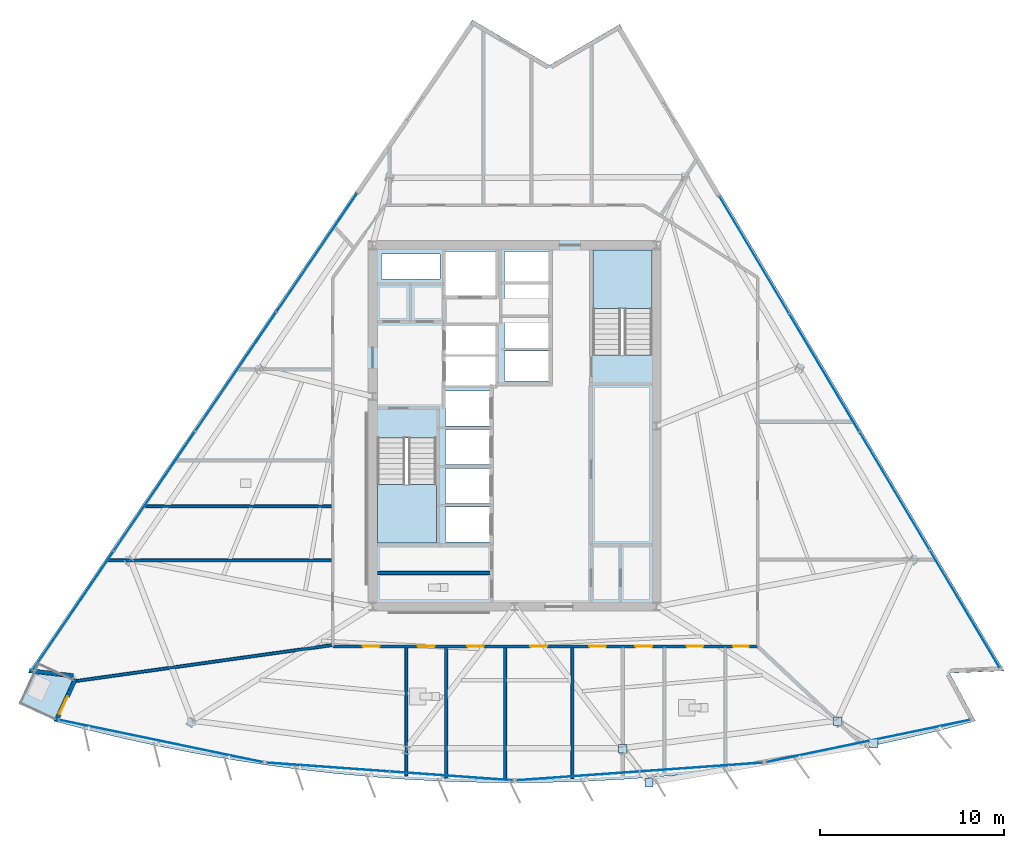
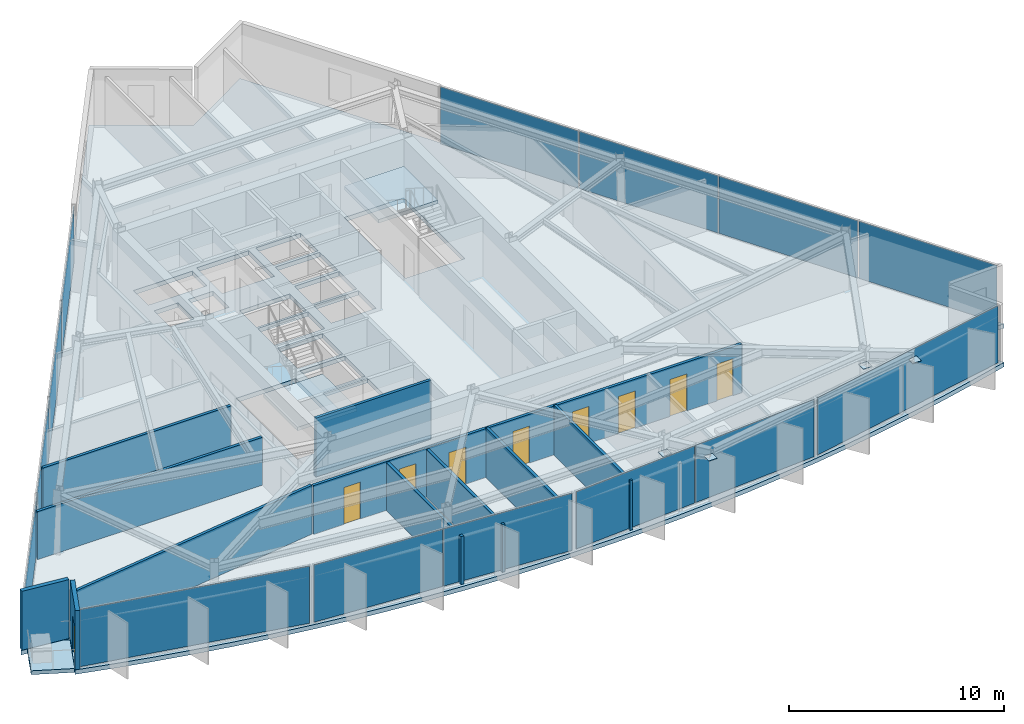
# One storey, part 7 of 15: 18 plates, 11 walls, 9 doors, 4 slabs, 9 openings, 8 elements without a shape of their own.
"""IFC4 building model written with IfcOpenShell, lengths in metres."""

from ifc_helpers import new_model, si_unit, direction, frame, frame_2d, origin, origin_2d, place, context, subcontext, project, spatial, polyline, rectangle, outline, extrude, material, layer, layer_set, type_object, element, fill, aggregate, save


model = new_model("IFC4")

# Units and contexts
model_context = context("Model", 3, precision=1e-05, world=origin(), true_north=direction((0.0, 1.0)))
body_context = subcontext(model_context, "Body", "Model", "MODEL_VIEW")
ifc_project = project(units=[si_unit("LENGTHUNIT", "METRE"), si_unit("AREAUNIT", "SQUARE_METRE"), si_unit("VOLUMEUNIT", "CUBIC_METRE"), si_unit("PLANEANGLEUNIT", "RADIAN"), si_unit("MASSUNIT", "GRAM", prefix="KILO")], contexts=[model_context])

# Site, building, storey
site_placement = place(None, origin())
site = spatial("IfcSite", under=ifc_project, at=site_placement, CompositionType="ELEMENT")
building_placement = place(site_placement, origin())
building = spatial("IfcBuilding", under=site, at=building_placement, Name="Savorim Split Tower", CompositionType="ELEMENT")
storey_placement = place(building_placement, frame((0.0, 0.0, 167.39990234375)))
storey = spatial("IfcBuildingStorey", under=building, at=storey_placement, Name="L44", CompositionType="ELEMENT", Elevation=167.39990234375)

# Curtain wall, plate
ifc_material_1 = material(Name="Dark Ceramic-Fritted Insulated Glass", Category="glass")
curtain_wall_type = type_object("IfcCurtainWallType", Name="CW-TWR-FRIT-B", PredefinedType="NOTDEFINED", material=ifc_material_1)
curtain_wall_1_placement = place(storey_placement, origin())
curtain_wall_1 = element("IfcCurtainWall", 1, at=curtain_wall_1_placement, inside=storey, type_object=curtain_wall_type, Name="L44 Curtain Wall CW-L44-SF1", PredefinedType="NOTDEFINED")
ifc_layer_1 = layer(ifc_material_1, 0.02587890625)
ifc_layer_set_1 = layer_set([ifc_layer_1], Name="CWP-FRITB-26")
plate_type_1 = type_object("IfcPlateType", Name="CWP-FRITB-26", PredefinedType="CURTAIN_PANEL", material=ifc_layer_set_1)
plate_1_placement = place(storey_placement, frame((-19.1787109375, -16.69189453125, 0.050048828125), z_axis=(0.0, 0.0, 1.0), x_axis=(0.979134332118, -0.203214073497, 0.0)))
plate_1 = element("IfcPlate", 2, at=plate_1_placement, type_object=plate_type_1, Name="CW-03 panel 1.1", PredefinedType="CURTAIN_PANEL", context=body_context, shape_type="SweptSolid", body=[
    extrude(rectangle(XDim=11.2646484375, YDim=0.02587890625, at=origin_2d()), origin(), (0.0, 0.0, 1.0), 3.25),
])
aggregate(curtain_wall_1, [plate_1])

# Curtain wall, plates
curtain_wall_2_placement = place(storey_placement, origin())
curtain_wall_2 = element("IfcCurtainWall", 3, at=curtain_wall_2_placement, inside=storey, type_object=curtain_wall_type, Name="L44 Curtain Wall CW-L44-SF2", PredefinedType="NOTDEFINED")
plate_2_placement = place(storey_placement, frame((-10.124755859375, -18.105224609375, 0.050048828125), z_axis=(0.0, 0.0, 1.0), x_axis=(0.997436480985, -0.071557434275, 0.0)))
plate_2 = element("IfcPlate", 4, at=plate_2_placement, type_object=plate_type_1, Name="CW-03 panel 1.1", PredefinedType="CURTAIN_PANEL", context=body_context, shape_type="SweptSolid", body=[
    extrude(rectangle(XDim=6.65283203125, YDim=0.02587890625, at=origin_2d()), origin(), (0.0, 0.0, 1.0), 3.25),
])
plate_3_placement = place(storey_placement, frame((-3.428955078125, -18.585693359375, 0.050048828125), z_axis=(0.0, 0.0, 1.0), x_axis=(0.997436480985, -0.071557434275, 0.0)))
plate_3 = element("IfcPlate", 5, at=plate_3_placement, type_object=plate_type_1, Name="CW-03 panel 2.1", PredefinedType="CURTAIN_PANEL", context=body_context, shape_type="SweptSolid", body=[
    extrude(rectangle(XDim=6.65283203125, YDim=0.02587890625, at=origin_2d()), origin(), (0.0, 0.0, 1.0), 3.25),
])
aggregate(curtain_wall_2, [plate_2, plate_3])

curtain_wall_3_placement = place(storey_placement, origin())
curtain_wall_3 = element("IfcCurtainWall", 6, at=curtain_wall_3_placement, inside=storey, type_object=curtain_wall_type, Name="L44 Curtain Wall CW-L44-SF3", PredefinedType="NOTDEFINED")
plate_4_placement = place(storey_placement, frame((3.428955078125, -18.585693359375, 0.050048828125), z_axis=(0.0, 0.0, 1.0), x_axis=(0.997436480985, 0.071557434275, 0.0)))
plate_4 = element("IfcPlate", 7, at=plate_4_placement, type_object=plate_type_1, Name="CW-03 panel 1.1", PredefinedType="CURTAIN_PANEL", context=body_context, shape_type="SweptSolid", body=[
    extrude(rectangle(XDim=6.65283203125, YDim=0.02587890625, at=origin_2d()), origin(), (0.0, 0.0, 1.0), 3.25),
])
plate_5_placement = place(storey_placement, frame((10.124755859375, -18.105224609375, 0.050048828125), z_axis=(0.0, 0.0, 1.0), x_axis=(0.997436480985, 0.071557434275, 0.0)))
plate_5 = element("IfcPlate", 8, at=plate_5_placement, type_object=plate_type_1, Name="CW-03 panel 2.1", PredefinedType="CURTAIN_PANEL", context=body_context, shape_type="SweptSolid", body=[
    extrude(rectangle(XDim=6.65283203125, YDim=0.02587890625, at=origin_2d()), origin(), (0.0, 0.0, 1.0), 3.25),
])
aggregate(curtain_wall_3, [plate_4, plate_5])

# Curtain wall, plate
curtain_wall_4_placement = place(storey_placement, origin())
curtain_wall_4 = element("IfcCurtainWall", 9, at=curtain_wall_4_placement, inside=storey, type_object=curtain_wall_type, Name="L44 Curtain Wall CW-L44-SF4", PredefinedType="NOTDEFINED")
plate_6_placement = place(storey_placement, frame((19.1787109375, -16.69189453125, 0.050048828125), z_axis=(0.0, 0.0, 1.0), x_axis=(0.979134332118, 0.203214073497, 0.0)))
plate_6 = element("IfcPlate", 10, at=plate_6_placement, type_object=plate_type_1, Name="CW-03 panel 1.1", PredefinedType="CURTAIN_PANEL", context=body_context, shape_type="SweptSolid", body=[
    extrude(rectangle(XDim=11.2646484375, YDim=0.02587890625, at=origin_2d()), origin(), (0.0, 0.0, 1.0), 3.25),
])
aggregate(curtain_wall_4, [plate_6])

# Curtain wall, plates
curtain_wall_5_placement = place(storey_placement, origin())
curtain_wall_5 = element("IfcCurtainWall", 11, at=curtain_wall_5_placement, inside=storey, type_object=curtain_wall_type, Name="L44 Curtain Wall CW-L44-EAST", PredefinedType="NOTDEFINED")
plate_7_placement = place(storey_placement, frame((24.410400390625, -9.536865234375, 0.050048828125), z_axis=(0.0, 0.0, 1.0), x_axis=(-0.511093786039, 0.85952495128, 0.0)))
plate_7 = element("IfcPlate", 12, at=plate_7_placement, type_object=plate_type_1, Name="CW-03 panel 1.1", PredefinedType="CURTAIN_PANEL", context=body_context, shape_type="SweptSolid", body=[
    extrude(rectangle(XDim=7.37353515625, YDim=0.02587890625, at=origin_2d()), origin(), (0.0, 0.0, 1.0), 3.25),
])
plate_8_placement = place(storey_placement, frame((20.603515625, -3.134765625, 0.050048828125), z_axis=(0.0, 0.0, 1.0), x_axis=(-0.511093786039, 0.85952495128, 0.0)))
plate_8 = element("IfcPlate", 13, at=plate_8_placement, type_object=plate_type_1, Name="CW-03 panel 2.1", PredefinedType="CURTAIN_PANEL", context=body_context, shape_type="SweptSolid", body=[
    extrude(rectangle(XDim=7.403564453125, YDim=0.02587890625, at=origin_2d()), origin(), (0.0, 0.0, 1.0), 3.25),
])
plate_9_placement = place(storey_placement, frame((16.7890625, 3.2802734375, 0.050048828125), z_axis=(0.0, 0.0, 1.0), x_axis=(-0.511093786039, 0.85952495128, 0.0)))
plate_9 = element("IfcPlate", 14, at=plate_9_placement, type_object=plate_type_1, Name="CW-03 panel 3.1", PredefinedType="CURTAIN_PANEL", context=body_context, shape_type="SweptSolid", body=[
    extrude(rectangle(XDim=7.403564453125, YDim=0.02587890625, at=origin_2d()), origin(), (0.0, 0.0, 1.0), 3.25),
])
plate_10_placement = place(storey_placement, frame((12.982177734375, 9.682373046875, 0.050048828125), z_axis=(0.0, 0.0, 1.0), x_axis=(-0.511093786039, 0.85952495128, 0.0)))
plate_10 = element("IfcPlate", 15, at=plate_10_placement, type_object=plate_type_1, Name="CW-03 panel 4.1", PredefinedType="CURTAIN_PANEL", context=body_context, shape_type="SweptSolid", body=[
    extrude(rectangle(XDim=7.37353515625, YDim=0.02587890625, at=origin_2d()), origin(), (0.0, 0.0, 1.0), 3.25),
])
aggregate(curtain_wall_5, [plate_7, plate_8, plate_9, plate_10])

curtain_wall_6_placement = place(storey_placement, origin())
curtain_wall_6 = element("IfcCurtainWall", 16, at=curtain_wall_6_placement, inside=storey, type_object=curtain_wall_type, Name="L44 Curtain Wall CW-L44-WEST", PredefinedType="NOTDEFINED")
plate_11_placement = place(storey_placement, frame((-10.730224609375, 9.800048828125, 0.050048828125), z_axis=(0.0, 0.0, 1.0), x_axis=(-0.562467714384, -0.826819248854, 0.0)))
plate_11 = element("IfcPlate", 17, at=plate_11_placement, type_object=plate_type_1, Name="CW-03 panel 1.1", PredefinedType="CURTAIN_PANEL", context=body_context, shape_type="SweptSolid", body=[
    extrude(rectangle(XDim=7.74951171875, YDim=0.02587890625, at=origin_2d()), origin(), (0.0, 0.0, 1.0), 3.25),
])
plate_12_placement = place(storey_placement, frame((-15.13134765625, 3.33056640625, 0.050048828125), z_axis=(0.0, 0.0, 1.0), x_axis=(-0.562467714384, -0.826819248854, 0.0)))
plate_12 = element("IfcPlate", 18, at=plate_12_placement, type_object=plate_type_1, Name="CW-03 panel 2.1", PredefinedType="CURTAIN_PANEL", context=body_context, shape_type="SweptSolid", body=[
    extrude(rectangle(XDim=7.779541015625, YDim=0.02587890625, at=origin_2d()), origin(), (0.0, 0.0, 1.0), 3.25),
])
plate_13_placement = place(storey_placement, frame((-19.540771484375, -3.1513671875, 0.050048828125), z_axis=(0.0, 0.0, 1.0), x_axis=(-0.562467714384, -0.826819248854, 0.0)))
plate_13 = element("IfcPlate", 19, at=plate_13_placement, type_object=plate_type_1, Name="CW-03 panel 3.1", PredefinedType="CURTAIN_PANEL", context=body_context, shape_type="SweptSolid", body=[
    extrude(rectangle(XDim=7.779541015625, YDim=0.02587890625, at=origin_2d()), origin(), (0.0, 0.0, 1.0), 3.25),
])
plate_14_placement = place(storey_placement, frame((-23.94189453125, -9.620849609375, 0.050048828125), z_axis=(0.0, 0.0, 1.0), x_axis=(-0.562467714384, -0.826819248854, 0.0)))
plate_14 = element("IfcPlate", 20, at=plate_14_placement, type_object=plate_type_1, Name="CW-03 panel 4.1", PredefinedType="CURTAIN_PANEL", context=body_context, shape_type="SweptSolid", body=[
    extrude(rectangle(XDim=7.74951171875, YDim=0.02587890625, at=origin_2d()), origin(), (0.0, 0.0, 1.0), 3.25),
])
aggregate(curtain_wall_6, [plate_11, plate_12, plate_13, plate_14])

# Plates
ifc_material_2 = material(Name="Steel S460", Category="steel")
ifc_layer_2 = layer(ifc_material_2, 0.02490234375)
ifc_layer_set_2 = layer_set([ifc_layer_2], Name="PLT-NODE-CN1")
plate_type_2 = type_object("IfcPlateType", Name="PLT-NODE-CN1", PredefinedType="SHEET", material=ifc_layer_set_2)
for number, where, z_axis, x_axis, name in (
    (21, (5.869140625, -17.118896484375, 2.437744140625), (0.0, 0.0, 1.0), (1.0, 0.0, 0.0), "L44 Bay Strut Column Gusset Plate 1"),
    (22, (7.287109375, -18.946533203125, 2.8076171875), (0.0, 0.0, 1.0), (1.0, 0.0, 0.0), "L44 Bay Strut Tip Gusset Plate 1"),
    (23, (17.51220703125, -15.6240234375, 2.437744140625), (0.0, 0.0, 1.0), (1.0, 0.0, 0.0), "L44 Bay Strut Column Gusset Plate 2"),
    (24, (19.47509765625, -16.841064453125, 2.8076171875), (0.0, 0.0, 1.0), (1.0, 0.0, 0.0), "L44 Bay Strut Tip Gusset Plate 2"),
):
    element("IfcPlate", number, at=place(storey_placement, frame(where, z_axis=z_axis, x_axis=x_axis)), inside=storey, type_object=plate_type_2, Name=name, PredefinedType="SHEET", context=body_context, shape_type="SweptSolid", body=[
        extrude(rectangle(XDim=0.4599609375, YDim=0.4599609375, at=origin_2d()), origin(), (0.0, 0.0, 1.0), 0.02490234375),
    ])

# Slab
ifc_material_3 = material(Name="Concrete C50/60", Category="concrete")
ifc_layer_3 = layer(ifc_material_3, 0.219970703125)
ifc_layer_set_3 = layer_set([ifc_layer_3], Name="SLB-BAL-220")
slab_type_1 = type_object("IfcSlabType", Name="SLB-BAL-220", PredefinedType="FLOOR", material=ifc_layer_set_3)
slab_1_placement = place(storey_placement, frame((0.0, 0.0, -0.219970703125)))
element("IfcSlab", 25, at=slab_1_placement, inside=storey, type_object=slab_type_1, Name="L44 Notched Corner Planted Tree Balcony Slab", PredefinedType="FLOOR", context=body_context, shape_type="SweptSolid", body=[
    extrude(outline(polyline([(-24.946533203125, -15.496826171875), (-23.969482421875, -13.37060546875), (-24.280029296875, -13.22802734375), (-26.06298828125, -13.02880859375), (-26.8046875, -14.64306640625), (-24.946533203125, -15.496826171875)])), origin(), (0.0, 0.0, 1.0), 0.219970703125),
])

# Stair, slab
stair_type = type_object("IfcStairType", Name="STR-DOG-3600", PredefinedType="HALF_TURN_STAIR", material=ifc_material_3)
stair_1_placement = place(storey_placement, origin())
stair_1 = element("IfcStair", 26, at=stair_1_placement, inside=storey, type_object=stair_type, Name="L44 Core Protected Exit Stair ST-1", PredefinedType="HALF_TURN_STAIR")
ifc_layer_4 = layer(ifc_material_3, 0.199951171875)
ifc_layer_set_4 = layer_set([ifc_layer_4], Name="SLB-LND-200")
slab_type_2 = type_object("IfcSlabType", Name="SLB-LND-200", PredefinedType="LANDING", material=ifc_layer_set_4)
slab_2_placement = place(storey_placement, frame((0.0, 0.0, 1.60009765625)))
slab_2 = element("IfcSlab", 27, at=slab_2_placement, type_object=slab_type_2, Name="ST-1 landing 1", PredefinedType="LANDING", context=body_context, shape_type="SweptSolid", body=[
    extrude(outline(polyline([(-7.449951171875, -2.77001953125), (-7.449951171875, -5.949951171875), (-4.25, -5.949951171875), (-4.25, -2.77001953125), (-7.449951171875, -2.77001953125)])), origin(), (0.0, 0.0, 1.0), 0.199951171875),
])
aggregate(stair_1, [slab_2])

stair_2_placement = place(storey_placement, origin())
stair_2 = element("IfcStair", 28, at=stair_2_placement, inside=storey, type_object=stair_type, Name="L44 Core Protected Exit Stair ST-2", PredefinedType="HALF_TURN_STAIR")
slab_3_placement = place(storey_placement, frame((0.0, 0.0, 1.60009765625)))
slab_3 = element("IfcSlab", 29, at=slab_3_placement, type_object=slab_type_2, Name="ST-2 landing 1", PredefinedType="LANDING", context=body_context, shape_type="SweptSolid", body=[
    extrude(outline(polyline([(7.449951171875, 6.77001953125), (7.449951171875, 9.949951171875), (4.25, 9.949951171875), (4.25, 6.77001953125), (7.449951171875, 6.77001953125)])), origin(), (0.0, 0.0, 1.0), 0.199951171875),
])
aggregate(stair_2, [slab_3])

# Slab
ifc_layer_5 = layer(ifc_material_3, 0.25)
ifc_layer_set_5 = layer_set([ifc_layer_5], Name="SLB-TWR-250")
slab_type_3 = type_object("IfcSlabType", Name="SLB-TWR-250", PredefinedType="FLOOR", material=ifc_layer_set_5)
slab_4_placement = place(storey_placement, frame((0.0, 0.0, -0.25)))
element("IfcSlab", 30, at=slab_4_placement, inside=storey, type_object=slab_type_3, Name="L44 Structural Floor Slab", PredefinedType="FLOOR", context=body_context, shape_type="SweptSolid", body=[
    extrude(outline(polyline([(-24.991943359375, -15.60791015625), (-23.110107421875, -16.10009765625), (-21.21826171875, -16.5537109375), (-19.31787109375, -16.968505859375), (-17.4091796875, -17.34423828125), (-15.4931640625, -17.680908203125), (-13.57080078125, -17.978515625), (-11.642578125, -18.236328125), (-9.709716796875, -18.454833984375), (-7.772705078125, -18.6337890625), (-5.832275390625, -18.77294921875), (-3.8896484375, -18.872314453125), (-1.9453125, -18.93212890625), (0.0, -18.951904296875), (1.9453125, -18.93212890625), (3.8896484375, -18.872314453125), (5.832275390625, -18.77294921875), (7.772705078125, -18.6337890625), (9.709716796875, -18.454833984375), (11.642578125, -18.236328125), (13.57080078125, -17.978515625), (15.4931640625, -17.680908203125), (17.4091796875, -17.34423828125), (19.31787109375, -16.968505859375), (21.21826171875, -16.5537109375), (23.110107421875, -16.10009765625), (24.991943359375, -15.60791015625), (23.59814453125, -13.01025390625), (26.541015625, -12.885009765625), (5.697021484375, 22.1689453125), (1.89208984375, 19.951416015625), (-2.29541015625, 22.41259765625), (-26.378173828125, -12.988525390625), (-23.914794921875, -13.263671875), (-24.991943359375, -15.60791015625)]), holes=[polyline([(-7.449951171875, -0.25390625), (-7.449951171875, -5.949951171875), (-4.25, -5.949951171875), (-4.25, -0.25390625), (-7.449951171875, -0.25390625)]), polyline([(7.449951171875, 4.25390625), (7.449951171875, 9.949951171875), (4.25, 9.949951171875), (4.25, 4.25390625), (7.449951171875, 4.25390625)]), polyline([(-3.75, -5.89990234375), (-1.35009765625, -5.89990234375), (-1.35009765625, -4.0), (-3.75, -4.0), (-3.75, -5.89990234375)]), polyline([(-3.75, -3.800048828125), (-1.35009765625, -3.800048828125), (-1.35009765625, -1.89990234375), (-3.75, -1.89990234375), (-3.75, -3.800048828125)]), polyline([(-3.75, -1.699951171875), (-1.35009765625, -1.699951171875), (-1.35009765625, 0.199951171875), (-3.75, 0.199951171875), (-3.75, -1.699951171875)]), polyline([(-3.75, 0.39990234375), (-1.35009765625, 0.39990234375), (-1.35009765625, 2.300048828125), (-3.75, 2.300048828125), (-3.75, 0.39990234375)]), polyline([(-0.550048828125, 2.830078125), (1.85009765625, 2.830078125), (1.85009765625, 4.469970703125), (-0.550048828125, 4.469970703125), (-0.550048828125, 2.830078125)]), polyline([(-0.550048828125, 4.6298828125), (1.85009765625, 4.6298828125), (1.85009765625, 6.27001953125), (-0.550048828125, 6.27001953125), (-0.550048828125, 4.6298828125)]), polyline([(-0.550048828125, 6.429931640625), (1.85009765625, 6.429931640625), (1.85009765625, 8.070068359375), (-0.550048828125, 8.070068359375), (-0.550048828125, 6.429931640625)]), polyline([(-0.550048828125, 8.22998046875), (1.85009765625, 8.22998046875), (1.85009765625, 9.8701171875), (-0.550048828125, 9.8701171875), (-0.550048828125, 8.22998046875)]), polyline([(-3.75, 2.60009765625), (-1.050048828125, 2.60009765625), (-1.050048828125, 4.159912109375), (-3.75, 4.159912109375), (-3.75, 2.60009765625)]), polyline([(-3.75, 4.280029296875), (-1.050048828125, 4.280029296875), (-1.050048828125, 5.840087890625), (-3.75, 5.840087890625), (-3.75, 4.280029296875)]), polyline([(-3.75, 7.449951171875), (-0.949951171875, 7.449951171875), (-0.949951171875, 9.85009765625), (-3.75, 9.85009765625), (-3.75, 7.449951171875)]), polyline([(-7.219970703125, 6.320068359375), (-5.919921875, 6.320068359375), (-5.919921875, 7.820068359375), (-7.219970703125, 7.820068359375), (-7.219970703125, 6.320068359375)]), polyline([(-5.3798828125, 6.320068359375), (-4.050048828125, 6.320068359375), (-4.050048828125, 7.820068359375), (-5.3798828125, 7.820068359375), (-5.3798828125, 6.320068359375)]), polyline([(-7.219970703125, 8.360107421875), (-4.050048828125, 8.360107421875), (-4.050048828125, 9.719970703125), (-7.219970703125, 9.719970703125), (-7.219970703125, 8.360107421875)])]), origin(), (0.0, 0.0, 1.0), 0.25),
])

# Wall
ifc_material_4 = material(Name="Precast concrete C40/50", Category="concrete")
ifc_layer_6 = layer(ifc_material_4, 0.219970703125)
ifc_layer_set_6 = layer_set([ifc_layer_6], Name="WAL-EXT-CRN220")
wall_type_1 = type_object("IfcWallType", Name="WAL-EXT-CRN220", PredefinedType="SOLIDWALL", material=ifc_layer_set_6)
wall_1_placement = place(storey_placement, frame((-23.94140625, -13.139892578125, 0.0), z_axis=(0.0, 0.0, 1.0), x_axis=(-0.993825249999, 0.110956624245, 0.0)))
element("IfcWall", 31, at=wall_1_placement, inside=storey, type_object=wall_type_1, Name="L44 Notched Corner Facade Wall SW1", PredefinedType="SOLIDWALL", context=body_context, shape_type="SweptSolid", body=[
    extrude(rectangle(XDim=2.3984375, YDim=0.219970703125, at=frame_2d((1.19921875, 0.0))), origin(), (0.0, 0.0, 1.0), 3.35009765625),
])

# Wall, opening, door
wall_2_placement = place(storey_placement, frame((-24.8662109375, -15.621826171875, 0.0), z_axis=(0.0, 0.0, 1.0), x_axis=(0.417478378529, 0.908686856657, 0.0)))
wall_2 = element("IfcWall", 32, at=wall_2_placement, inside=storey, type_object=wall_type_1, Name="L44 Notched Corner Facade Wall SW", PredefinedType="SOLIDWALL", context=body_context, shape_type="SweptSolid", body=[
    extrude(rectangle(XDim=2.5, YDim=0.219970703125, at=frame_2d((1.25, 0.0))), origin(), (0.0, 0.0, 1.0), 3.35009765625),
])
opening_1_placement = place(wall_2_placement, frame((0.425048828125, 0.0, 0.0)))
opening_1 = element("IfcOpeningElement", 33, at=opening_1_placement, cuts=wall_2, Name="Opening DB-01", PredefinedType="OPENING", context=body_context, shape_type="SweptSolid", body=[
    extrude(rectangle(XDim=1.050048828125, YDim=2.14990234375, at=frame_2d((0.52490234375, 1.074951171875))), frame((0.0, 0.119873046875, 0.0), z_axis=(0.0, -1.0, 0.0), x_axis=(1.0, 0.0, 0.0)), (0.0, 0.0, 1.0), 0.239990234375),
])
ifc_material_5 = material(Name="Charcoal Anodised Aluminium", Category="aluminium")
door_type_1 = type_object("IfcDoorType", Name="DOR-BAL-1050", OperationType="NOTDEFINED", PredefinedType="DOOR", material=ifc_material_5)
door_1_placement = place(opening_1_placement, origin())
door_1 = element("IfcDoor", 34, at=door_1_placement, inside=storey, type_object=door_type_1, Name="DOR-L44-TBAL-SW - L44 Planted Tree Balcony Door SW", OperationType="SINGLE_SWING_LEFT", OverallHeight=2.14990234375, OverallWidth=1.050048828125, PredefinedType="DOOR", context=body_context, shape_type="SweptSolid", body=[
    extrude(rectangle(XDim=1.050048828125, YDim=2.14990234375, at=frame_2d((0.52490234375, 1.074951171875))), frame((0.0, 0.02490234375, 0.0), z_axis=(0.0, -1.0, 0.0), x_axis=(1.0, 0.0, 0.0)), (0.0, 0.0, 1.0), 0.050048828125),
])
fill(opening_1, door_1)

# Wall
ifc_material_6 = material(Name="Acoustic Gypsum Partition Board")
ifc_layer_7 = layer(ifc_material_6, 0.14990234375)
ifc_layer_set_7 = layer_set([ifc_layer_7], Name="WAL-PAR-150")
wall_type_2 = type_object("IfcWallType", Name="WAL-PAR-150", PredefinedType="PARTITIONING", material=ifc_layer_set_7)
wall_3_placement = place(storey_placement, frame((-7.445068359375, -7.580078125, 0.0), z_axis=(0.0, 0.0, 1.0), x_axis=(1.0, 0.0, 0.0)))
element("IfcWall", 35, at=wall_3_placement, inside=storey, type_object=wall_type_2, Name="L44 Partition W-L44-K2H", PredefinedType="PARTITIONING", context=body_context, shape_type="SweptSolid", body=[
    extrude(rectangle(XDim=6.195068359375, YDim=0.14990234375, at=frame_2d((3.09765625, 0.0))), origin(), (0.0, 0.0, 1.0), 3.35009765625),
])

# Wall, openings, doors
wall_4_placement = place(storey_placement, frame((13.179931640625, -11.56005859375, 0.0), z_axis=(0.0, 0.0, 1.0), x_axis=(-1.0, 0.0, 0.0)))
wall_4 = element("IfcWall", 36, at=wall_4_placement, inside=storey, type_object=wall_type_2, Name="L44 Partition W-L44-COR-06", PredefinedType="PARTITIONING", context=body_context, shape_type="SweptSolid", body=[
    extrude(rectangle(XDim=23.0400390625, YDim=0.14990234375, at=frame_2d((11.52001953125, 0.0))), origin(), (0.0, 0.0, 1.0), 2.775146484375),
])
opening_2_placement = place(wall_4_placement, frame((20.5078125, 0.0, 0.0)))
opening_2 = element("IfcOpeningElement", 37, at=opening_2_placement, cuts=wall_4, Name="Opening DI-06", PredefinedType="OPENING", context=body_context, shape_type="SweptSolid", body=[
    extrude(rectangle(XDim=0.89990234375, YDim=2.10009765625, at=frame_2d((0.449951171875, 1.050048828125))), frame((0.0, 0.0849609375, 0.0), z_axis=(0.0, -1.0, 0.0), x_axis=(1.0, 0.0, 0.0)), (0.0, 0.0, 1.0), 0.169921875),
])
opening_3_placement = place(wall_4_placement, frame((17.525390625, 0.0, 0.0)))
opening_3 = element("IfcOpeningElement", 38, at=opening_3_placement, cuts=wall_4, Name="Opening DI-11", PredefinedType="OPENING", context=body_context, shape_type="SweptSolid", body=[
    extrude(rectangle(XDim=0.89990234375, YDim=2.10009765625, at=frame_2d((0.449951171875, 1.050048828125))), frame((0.0, 0.0849609375, 0.0), z_axis=(0.0, -1.0, 0.0), x_axis=(1.0, 0.0, 0.0)), (0.0, 0.0, 1.0), 0.169921875),
])
opening_4_placement = place(wall_4_placement, frame((14.848388671875, 0.0, 0.0)))
opening_4 = element("IfcOpeningElement", 39, at=opening_4_placement, cuts=wall_4, Name="Opening DI-06", PredefinedType="OPENING", context=body_context, shape_type="SweptSolid", body=[
    extrude(rectangle(XDim=0.89990234375, YDim=2.10009765625, at=frame_2d((0.449951171875, 1.050048828125))), frame((0.0, 0.0849609375, 0.0), z_axis=(0.0, -1.0, 0.0), x_axis=(1.0, 0.0, 0.0)), (0.0, 0.0, 1.0), 0.169921875),
])
opening_5_placement = place(wall_4_placement, frame((11.421630859375, 0.0, 0.0)))
opening_5 = element("IfcOpeningElement", 40, at=opening_5_placement, cuts=wall_4, Name="Opening DI-06", PredefinedType="OPENING", context=body_context, shape_type="SweptSolid", body=[
    extrude(rectangle(XDim=0.89990234375, YDim=2.10009765625, at=frame_2d((0.449951171875, 1.050048828125))), frame((0.0, 0.0849609375, 0.0), z_axis=(0.0, -1.0, 0.0), x_axis=(1.0, 0.0, 0.0)), (0.0, 0.0, 1.0), 0.169921875),
])
opening_6_placement = place(wall_4_placement, frame((8.224853515625, 0.0, 0.0)))
opening_6 = element("IfcOpeningElement", 41, at=opening_6_placement, cuts=wall_4, Name="Opening DI-06", PredefinedType="OPENING", context=body_context, shape_type="SweptSolid", body=[
    extrude(rectangle(XDim=0.89990234375, YDim=2.10009765625, at=frame_2d((0.449951171875, 1.050048828125))), frame((0.0, 0.0849609375, 0.0), z_axis=(0.0, -1.0, 0.0), x_axis=(1.0, 0.0, 0.0)), (0.0, 0.0, 1.0), 0.169921875),
])
opening_7_placement = place(wall_4_placement, frame((5.729248046875, 0.0, 0.0)))
opening_7 = element("IfcOpeningElement", 42, at=opening_7_placement, cuts=wall_4, Name="Opening DI-06", PredefinedType="OPENING", context=body_context, shape_type="SweptSolid", body=[
    extrude(rectangle(XDim=0.89990234375, YDim=2.10009765625, at=frame_2d((0.449951171875, 1.050048828125))), frame((0.0, 0.0849609375, 0.0), z_axis=(0.0, -1.0, 0.0), x_axis=(1.0, 0.0, 0.0)), (0.0, 0.0, 1.0), 0.169921875),
])
opening_8_placement = place(wall_4_placement, frame((2.955078125, 0.0, 0.0)))
opening_8 = element("IfcOpeningElement", 43, at=opening_8_placement, cuts=wall_4, Name="Opening DI-11", PredefinedType="OPENING", context=body_context, shape_type="SweptSolid", body=[
    extrude(rectangle(XDim=0.89990234375, YDim=2.10009765625, at=frame_2d((0.449951171875, 1.050048828125))), frame((0.0, 0.0849609375, 0.0), z_axis=(0.0, -1.0, 0.0), x_axis=(1.0, 0.0, 0.0)), (0.0, 0.0, 1.0), 0.169921875),
])
opening_9_placement = place(wall_4_placement, frame((0.47802734375, 0.0, 0.0)))
opening_9 = element("IfcOpeningElement", 44, at=opening_9_placement, cuts=wall_4, Name="Opening DI-13", PredefinedType="OPENING", context=body_context, shape_type="SweptSolid", body=[
    extrude(rectangle(XDim=0.85009765625, YDim=2.10009765625, at=frame_2d((0.425048828125, 1.050048828125))), frame((0.0, 0.0849609375, 0.0), z_axis=(0.0, -1.0, 0.0), x_axis=(1.0, 0.0, 0.0)), (0.0, 0.0, 1.0), 0.169921875),
])
ifc_material_7 = material(Name="Timber Fire Door Leaf", Category="wood")
door_type_2 = type_object("IfcDoorType", Name="DOR-FIR-850", OperationType="NOTDEFINED", PredefinedType="DOOR", material=ifc_material_7)
door_2_placement = place(opening_9_placement, origin())
door_2 = element("IfcDoor", 45, at=door_2_placement, inside=storey, type_object=door_type_2, Name="DR-L44-RM11 - L44 Quiet Study Room Entry Door", OperationType="SINGLE_SWING_RIGHT", OverallHeight=2.10009765625, OverallWidth=0.85009765625, PredefinedType="DOOR", context=body_context, shape_type="SweptSolid", body=[
    extrude(rectangle(XDim=0.85009765625, YDim=2.10009765625, at=frame_2d((0.425048828125, 1.050048828125))), frame((0.0, 0.02490234375, 0.0), z_axis=(0.0, -1.0, 0.0), x_axis=(1.0, 0.0, 0.0)), (0.0, 0.0, 1.0), 0.050048828125),
])
fill(opening_9, door_2)
door_type_3 = type_object("IfcDoorType", Name="DOR-FIR-900", OperationType="NOTDEFINED", PredefinedType="DOOR", material=ifc_material_7)
door_3_placement = place(opening_2_placement, origin())
door_3 = element("IfcDoor", 46, at=door_3_placement, inside=storey, type_object=door_type_3, Name="DR-L44-RM04 - L44 Co-Working Commons Entry Door", OperationType="SINGLE_SWING_LEFT", OverallHeight=2.10009765625, OverallWidth=0.89990234375, PredefinedType="DOOR", context=body_context, shape_type="SweptSolid", body=[
    extrude(rectangle(XDim=0.89990234375, YDim=2.10009765625, at=frame_2d((0.449951171875, 1.050048828125))), frame((0.0, 0.02490234375, 0.0), z_axis=(0.0, -1.0, 0.0), x_axis=(1.0, 0.0, 0.0)), (0.0, 0.0, 1.0), 0.050048828125),
])
fill(opening_2, door_3)
door_4_placement = place(opening_4_placement, origin())
door_4 = element("IfcDoor", 47, at=door_4_placement, inside=storey, type_object=door_type_3, Name="DR-L44-RM06 - L44 Quiet Study Room Entry Door", OperationType="SINGLE_SWING_LEFT", OverallHeight=2.10009765625, OverallWidth=0.89990234375, PredefinedType="DOOR", context=body_context, shape_type="SweptSolid", body=[
    extrude(rectangle(XDim=0.89990234375, YDim=2.10009765625, at=frame_2d((0.449951171875, 1.050048828125))), frame((0.0, 0.02490234375, 0.0), z_axis=(0.0, -1.0, 0.0), x_axis=(1.0, 0.0, 0.0)), (0.0, 0.0, 1.0), 0.050048828125),
])
fill(opening_4, door_4)
door_5_placement = place(opening_5_placement, origin())
door_5 = element("IfcDoor", 48, at=door_5_placement, inside=storey, type_object=door_type_3, Name="DR-L44-RM07 - L44 Quiet Study Room Entry Door", OperationType="SINGLE_SWING_RIGHT", OverallHeight=2.10009765625, OverallWidth=0.89990234375, PredefinedType="DOOR", context=body_context, shape_type="SweptSolid", body=[
    extrude(rectangle(XDim=0.89990234375, YDim=2.10009765625, at=frame_2d((0.449951171875, 1.050048828125))), frame((0.0, 0.02490234375, 0.0), z_axis=(0.0, -1.0, 0.0), x_axis=(1.0, 0.0, 0.0)), (0.0, 0.0, 1.0), 0.050048828125),
])
fill(opening_5, door_5)
door_6_placement = place(opening_6_placement, origin())
door_6 = element("IfcDoor", 49, at=door_6_placement, inside=storey, type_object=door_type_3, Name="DR-L44-RM08 - L44 Co-Living Bedroom Entry Door", OperationType="SINGLE_SWING_LEFT", OverallHeight=2.10009765625, OverallWidth=0.89990234375, PredefinedType="DOOR", context=body_context, shape_type="SweptSolid", body=[
    extrude(rectangle(XDim=0.89990234375, YDim=2.10009765625, at=frame_2d((0.449951171875, 1.050048828125))), frame((0.0, 0.02490234375, 0.0), z_axis=(0.0, -1.0, 0.0), x_axis=(1.0, 0.0, 0.0)), (0.0, 0.0, 1.0), 0.050048828125),
])
fill(opening_6, door_6)
door_7_placement = place(opening_7_placement, origin())
door_7 = element("IfcDoor", 50, at=door_7_placement, inside=storey, type_object=door_type_3, Name="DR-L44-RM09 - L44 Quiet Study Room Entry Door", OperationType="SINGLE_SWING_RIGHT", OverallHeight=2.10009765625, OverallWidth=0.89990234375, PredefinedType="DOOR", context=body_context, shape_type="SweptSolid", body=[
    extrude(rectangle(XDim=0.89990234375, YDim=2.10009765625, at=frame_2d((0.449951171875, 1.050048828125))), frame((0.0, 0.02490234375, 0.0), z_axis=(0.0, -1.0, 0.0), x_axis=(1.0, 0.0, 0.0)), (0.0, 0.0, 1.0), 0.050048828125),
])
fill(opening_7, door_7)
ifc_material_8 = material(Name="Oak Veneer Acoustic Door")
door_type_4 = type_object("IfcDoorType", Name="DOR-WC-900", OperationType="NOTDEFINED", PredefinedType="DOOR", material=ifc_material_8)
door_8_placement = place(opening_3_placement, origin())
door_8 = element("IfcDoor", 51, at=door_8_placement, inside=storey, type_object=door_type_4, Name="DR-L44-RM05 - L44 Shared Bathroom Entry Door", OperationType="SINGLE_SWING_RIGHT", OverallHeight=2.10009765625, OverallWidth=0.89990234375, PredefinedType="DOOR", context=body_context, shape_type="SweptSolid", body=[
    extrude(rectangle(XDim=0.89990234375, YDim=2.10009765625, at=frame_2d((0.449951171875, 1.050048828125))), frame((0.0, 0.02490234375, 0.0), z_axis=(0.0, -1.0, 0.0), x_axis=(1.0, 0.0, 0.0)), (0.0, 0.0, 1.0), 0.050048828125),
])
fill(opening_3, door_8)
door_9_placement = place(opening_8_placement, origin())
door_9 = element("IfcDoor", 52, at=door_9_placement, inside=storey, type_object=door_type_4, Name="DR-L44-RM10 - L44 Shared Bathroom Entry Door", OperationType="SINGLE_SWING_LEFT", OverallHeight=2.10009765625, OverallWidth=0.89990234375, PredefinedType="DOOR", context=body_context, shape_type="SweptSolid", body=[
    extrude(rectangle(XDim=0.89990234375, YDim=2.10009765625, at=frame_2d((0.449951171875, 1.050048828125))), frame((0.0, 0.02490234375, 0.0), z_axis=(0.0, -1.0, 0.0), x_axis=(1.0, 0.0, 0.0)), (0.0, 0.0, 1.0), 0.050048828125),
])
fill(opening_8, door_9)

# Walls
wall_5_placement = place(storey_placement, frame((-5.873779296875, -11.6201171875, 0.0), z_axis=(0.0, 0.0, 1.0), x_axis=(0.0, -1.0, 0.0)))
element("IfcWall", 53, at=wall_5_placement, inside=storey, type_object=wall_type_2, Name="L44 Partition W-L44-PRAD02", PredefinedType="PARTITIONING", context=body_context, shape_type="SweptSolid", body=[
    extrude(rectangle(XDim=6.9794921875, YDim=0.14990234375, at=frame_2d((3.48974609375, 0.0))), origin(), (0.0, 0.0, 1.0), 2.72509765625),
])
wall_6_placement = place(storey_placement, frame((-9.919921875, -6.8974609375, 0.0), z_axis=(0.0, 0.0, 1.0), x_axis=(-1.0, 0.0, 0.0)))
element("IfcWall", 54, at=wall_6_placement, inside=storey, type_object=wall_type_2, Name="L44 Partition W-L44-PRAD10", PredefinedType="PARTITIONING", context=body_context, shape_type="SweptSolid", body=[
    extrude(rectangle(XDim=12.10888671875, YDim=0.14990234375, at=frame_2d((6.054443359375, 0.0))), origin(), (0.0, 0.0, 1.0), 2.72509765625),
])
wall_7_placement = place(storey_placement, frame((-0.52001953125, -11.6201171875, 0.0), z_axis=(0.0, 0.0, 1.0), x_axis=(0.0, -1.0, 0.0)))
element("IfcWall", 55, at=wall_7_placement, inside=storey, type_object=wall_type_2, Name="L44 Partition W-L44-SUB02", PredefinedType="PARTITIONING", context=body_context, shape_type="SweptSolid", body=[
    extrude(rectangle(XDim=7.156494140625, YDim=0.14990234375, at=frame_2d((3.578125, 0.0))), origin(), (0.0, 0.0, 1.0), 2.8251953125),
])
wall_8_placement = place(storey_placement, frame((-9.919921875, -3.953125, 0.0), z_axis=(0.0, 0.0, 1.0), x_axis=(-1.0, 0.0, 0.0)))
element("IfcWall", 56, at=wall_8_placement, inside=storey, type_object=wall_type_2, Name="L44 Partition W-L44-SUB06", PredefinedType="PARTITIONING", context=body_context, shape_type="SweptSolid", body=[
    extrude(rectangle(XDim=10.10595703125, YDim=0.14990234375, at=frame_2d((5.052978515625, 0.0))), origin(), (0.0, 0.0, 1.0), 2.72509765625),
])
wall_9_placement = place(storey_placement, frame((-9.9189453125, -11.49365234375, 0.0), z_axis=(0.0, 0.0, 1.0), x_axis=(-0.990302465123, -0.138928138155, 0.0)))
element("IfcWall", 57, at=wall_9_placement, inside=storey, type_object=wall_type_2, Name="L44 Partition W-L44-SUB07", PredefinedType="PARTITIONING", context=body_context, shape_type="SweptSolid", body=[
    extrude(rectangle(XDim=14.02685546875, YDim=0.14990234375, at=frame_2d((7.013427734375, 0.0))), origin(), (0.0, 0.0, 1.0), 2.775146484375),
])
wall_10_placement = place(storey_placement, frame((-3.716796875, -11.6201171875, 0.0), z_axis=(0.0, 0.0, 1.0), x_axis=(0.0, -1.0, 0.0)))
element("IfcWall", 58, at=wall_10_placement, inside=storey, type_object=wall_type_2, Name="L44 Partition W-L44-SUB08", PredefinedType="PARTITIONING", context=body_context, shape_type="SweptSolid", body=[
    extrude(rectangle(XDim=7.08740234375, YDim=0.14990234375, at=frame_2d((3.543701171875, 0.0))), origin(), (0.0, 0.0, 1.0), 2.72509765625),
])
wall_11_placement = place(storey_placement, frame((3.13671875, -11.6201171875, 0.0), z_axis=(0.0, 0.0, 1.0), x_axis=(3.4360719e-05, -0.99999999941, 0.0)))
element("IfcWall", 59, at=wall_11_placement, inside=storey, type_object=wall_type_2, Name="L44 Partition W-L44-SUB09", PredefinedType="PARTITIONING", context=body_context, shape_type="SweptSolid", body=[
    extrude(rectangle(XDim=7.105224609375, YDim=0.14990234375, at=frame_2d((3.552734375, 0.0))), origin(), (0.0, 0.0, 1.0), 2.8251953125),
])

save(model, "model.ifc")
